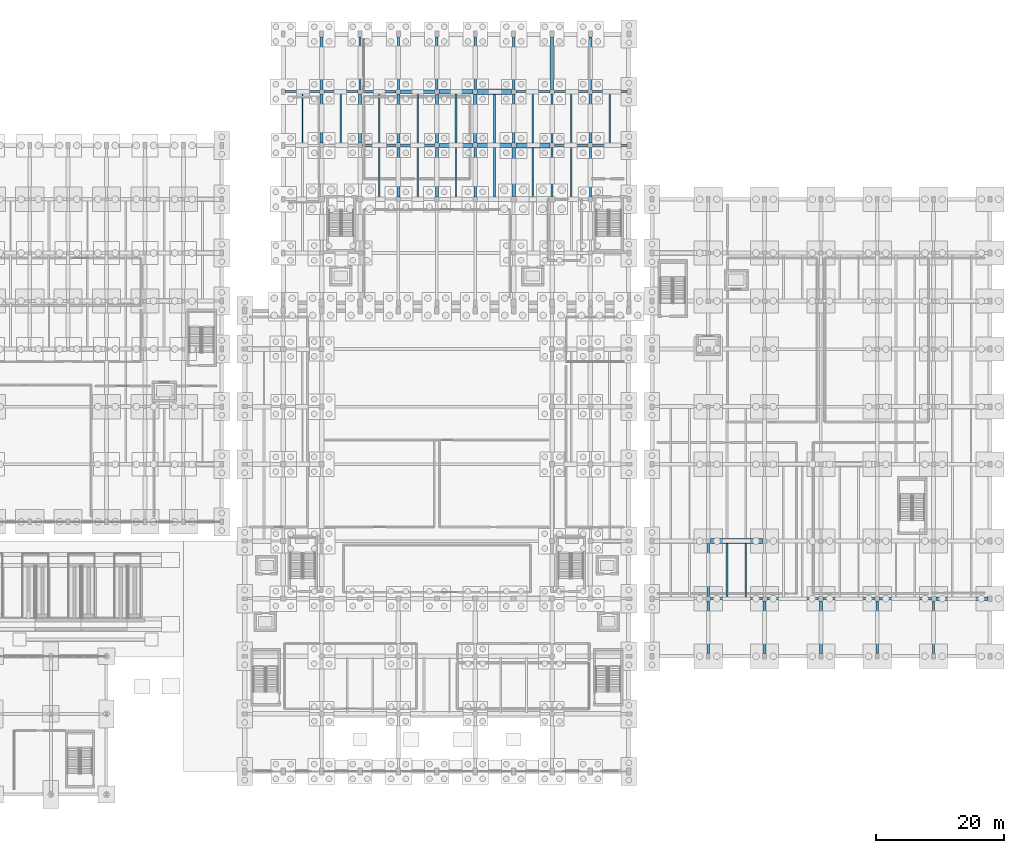
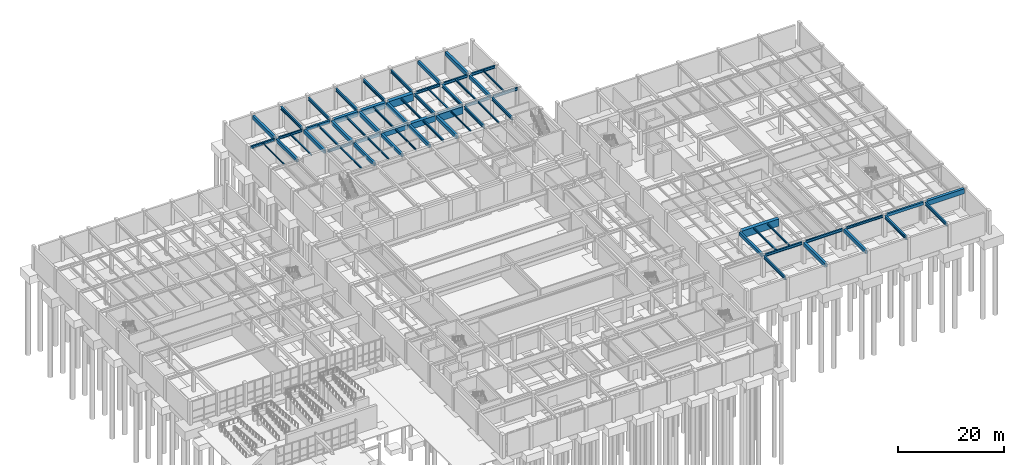
# One storey, part 39 of 69: 67 beams.
"""IFC4 building model written with IfcOpenShell, lengths in metres."""

from ifc_helpers import new_model, si_unit, direction, frame, origin, origin_2d, place, context, subcontext, project, spatial, rectangle, i_section, extrude, material, material_profile, profile_set, type_object, element, save


model = new_model("IFC4")

# Units and contexts
model_context = context("Model", 3, precision=1e-05, world=origin(), true_north=direction((0.0, 1.0)))
body_context = subcontext(model_context, "Body", "Model", "MODEL_VIEW")
ifc_project = project(units=[si_unit("LENGTHUNIT", "METRE"), si_unit("AREAUNIT", "SQUARE_METRE"), si_unit("VOLUMEUNIT", "CUBIC_METRE"), si_unit("PLANEANGLEUNIT", "RADIAN"), si_unit("MASSUNIT", "GRAM", prefix="KILO")], contexts=[model_context])

# Site, building, storey
site_placement = place(None, origin())
site = spatial("IfcSite", under=ifc_project, at=site_placement, CompositionType="ELEMENT")
building_placement = place(site_placement, origin())
building = spatial("IfcBuilding", under=site, at=building_placement, Name="Vaelkrest Opera House", CompositionType="ELEMENT")
storey_placement = place(building_placement, frame((0.0, 0.0, -5.39990234375)))
storey = spatial("IfcBuildingStorey", under=building, at=storey_placement, Name="B1", CompositionType="ELEMENT", Elevation=-5.39990234375)

# Beams
ifc_material_1 = material(Name="Concrete C50/60", Category="concrete")
ifc_material_profile_1 = material_profile(ifc_material_1, rectangle(XDim=0.39990234375, YDim=0.64990234375, at=origin_2d()), Name="RCB400X650")
ifc_profile_set_1 = profile_set([ifc_material_profile_1], Name="Concrete C50/60")
beam_type_1 = type_object("IfcBeamType", Name="B01", PredefinedType="BEAM", material=ifc_profile_set_1)
for number, where, z_axis, x_axis, name in (
    (1, (-5.64990234375, 42.0, 4.7099609375), (1.0, 0.0, 0.0), (0.0, 1.0, 0.0), "Beam BM-V2-B1-0677"),
    (2, (-11.64990234375, 50.39990234375, 4.7099609375), (1.0, 0.0, 0.0), (0.0, 1.0, 0.0), "Beam BM-V2-B1-0685"),
):
    element("IfcBeam", number, at=place(storey_placement, frame(where, z_axis=z_axis, x_axis=x_axis)), inside=storey, type_object=beam_type_1, Name=name, PredefinedType="BEAM", context=body_context, shape_type="SweptSolid", body=[
        extrude(rectangle(XDim=0.39990234375, YDim=0.64990234375, at=origin_2d()), origin(), (0.0, 0.0, 1.0), 5.2998046875),
    ])
beam_1_placement = place(storey_placement, frame((69.14990234375, -28.800048828125, 4.679931640625), z_axis=(1.0, 0.0, 0.0), x_axis=(0.0, 1.0, 0.0)))
element("IfcBeam", 3, at=beam_1_placement, inside=storey, type_object=beam_type_1, Name="Beam BM-V4-B1-1829", PredefinedType="BEAM", context=body_context, shape_type="SweptSolid", body=[
    extrude(rectangle(XDim=0.39990234375, YDim=0.64990234375, at=origin_2d()), origin(), (0.0, 0.0, 1.0), 8.10009765625),
])
ifc_material_profile_2 = material_profile(ifc_material_1, rectangle(XDim=0.449951171875, YDim=0.75, at=origin_2d()), Name="RCB450X750")
ifc_profile_set_2 = profile_set([ifc_material_profile_2], Name="Concrete C50/60")
beam_type_2 = type_object("IfcBeamType", Name="B02", PredefinedType="BEAM", material=ifc_profile_set_2)
for number, where, z_axis, x_axis, name in (
    (4, (-18.0, 42.35009765625, 4.659912109375), (0.0, 1.0, 0.0), (-1.0, 0.0, 0.0), "Beam BM-V2-B1-0695"),
    (5, (-6.0, 33.949951171875, 4.659912109375), (0.0, 1.0, 0.0), (-1.0, 0.0, 0.0), "Beam BM-V2-B1-0703"),
    (6, (0.0, 33.949951171875, 4.659912109375), (0.0, 1.0, 0.0), (-1.0, 0.0, 0.0), "Beam BM-V2-B1-0707"),
    (7, (6.0, 33.949951171875, 4.659912109375), (0.0, 1.0, 0.0), (-1.0, 0.0, 0.0), "Beam BM-V2-B1-0711"),
):
    element("IfcBeam", number, at=place(storey_placement, frame(where, z_axis=z_axis, x_axis=x_axis)), inside=storey, type_object=beam_type_2, Name=name, PredefinedType="BEAM", context=body_context, shape_type="SweptSolid", body=[
        extrude(rectangle(XDim=0.449951171875, YDim=0.75, at=origin_2d()), origin(), (0.0, 0.0, 1.0), 7.699951171875),
    ])
beam_2_placement = place(storey_placement, frame((18.0, 50.75, 4.659912109375), z_axis=(0.0, 1.0, 0.0), x_axis=(-1.0, 0.0, 0.0)))
element("IfcBeam", 8, at=beam_2_placement, inside=storey, type_object=beam_type_2, Name="Beam BM-V2-B1-0723", PredefinedType="BEAM", context=body_context, shape_type="SweptSolid", body=[
    extrude(rectangle(XDim=0.449951171875, YDim=0.75, at=origin_2d()), origin(), (0.0, 0.0, 1.0), 8.199951171875),
])
beam_3_placement = place(storey_placement, frame((24.0, 42.35009765625, 4.659912109375), z_axis=(0.0, 1.0, 0.0), x_axis=(-1.0, 0.0, 0.0)))
element("IfcBeam", 9, at=beam_3_placement, inside=storey, type_object=beam_type_2, Name="Beam BM-V2-B1-0727", PredefinedType="BEAM", context=body_context, shape_type="SweptSolid", body=[
    extrude(rectangle(XDim=0.449951171875, YDim=0.75, at=origin_2d()), origin(), (0.0, 0.0, 1.0), 7.699951171875),
])
beam_4_placement = place(storey_placement, frame((42.39990234375, -28.449951171875, 4.6298828125), z_axis=(0.0, 1.0, 0.0), x_axis=(-1.0, 0.0, 0.0)))
element("IfcBeam", 10, at=beam_4_placement, inside=storey, type_object=beam_type_2, Name="Beam BM-V4-B1-1863", PredefinedType="BEAM", context=body_context, shape_type="SweptSolid", body=[
    extrude(rectangle(XDim=0.449951171875, YDim=0.75, at=origin_2d()), origin(), (0.0, 0.0, 1.0), 8.300048828125),
])
ifc_material_profile_3 = material_profile(ifc_material_1, rectangle(XDim=0.5, YDim=0.85009765625, at=origin_2d()), Name="RCB500X850")
ifc_profile_set_3 = profile_set([ifc_material_profile_3], Name="Concrete C50/60")
beam_type_3 = type_object("IfcBeamType", Name="B03", PredefinedType="BEAM", material=ifc_profile_set_3)
beam_5_placement = place(storey_placement, frame((-18.0, 50.75, 4.60986328125), z_axis=(0.0, 1.0, 0.0), x_axis=(-1.0, 0.0, 0.0)))
element("IfcBeam", 11, at=beam_5_placement, inside=storey, type_object=beam_type_3, Name="Beam BM-V2-B1-0696", PredefinedType="BEAM", context=body_context, shape_type="SweptSolid", body=[
    extrude(rectangle(XDim=0.5, YDim=0.85009765625, at=origin_2d()), origin(), (0.0, 0.0, 1.0), 8.199951171875),
])
for number, where, z_axis, x_axis, name in (
    (12, (-12.0, 42.35009765625, 4.60986328125), (0.0, 1.0, 0.0), (-1.0, 0.0, 0.0), "Beam BM-V2-B1-0700"),
    (13, (-6.0, 42.35009765625, 4.60986328125), (0.0, 1.0, 0.0), (-1.0, 0.0, 0.0), "Beam BM-V2-B1-0704"),
    (14, (0.0, 42.35009765625, 4.60986328125), (0.0, 1.0, 0.0), (-1.0, 0.0, 0.0), "Beam BM-V2-B1-0708"),
    (15, (6.0, 42.35009765625, 4.60986328125), (0.0, 1.0, 0.0), (-1.0, 0.0, 0.0), "Beam BM-V2-B1-0712"),
):
    element("IfcBeam", number, at=place(storey_placement, frame(where, z_axis=z_axis, x_axis=x_axis)), inside=storey, type_object=beam_type_3, Name=name, PredefinedType="BEAM", context=body_context, shape_type="SweptSolid", body=[
        extrude(rectangle(XDim=0.5, YDim=0.85009765625, at=origin_2d()), origin(), (0.0, 0.0, 1.0), 7.699951171875),
    ])
beam_6_placement = place(storey_placement, frame((12.0, 34.050048828125, 4.60986328125), z_axis=(0.0, 1.0, 0.0), x_axis=(-1.0, 0.0, 0.0)))
element("IfcBeam", 16, at=beam_6_placement, inside=storey, type_object=beam_type_3, Name="Beam BM-V2-B1-0716", PredefinedType="BEAM", context=body_context, shape_type="SweptSolid", body=[
    extrude(rectangle(XDim=0.5, YDim=0.85009765625, at=origin_2d()), origin(), (0.0, 0.0, 1.0), 7.599853515625),
])
beam_7_placement = place(storey_placement, frame((24.0, 50.75, 4.60986328125), z_axis=(0.0, 1.0, 0.0), x_axis=(-1.0, 0.0, 0.0)))
element("IfcBeam", 17, at=beam_7_placement, inside=storey, type_object=beam_type_3, Name="Beam BM-V2-B1-0728", PredefinedType="BEAM", context=body_context, shape_type="SweptSolid", body=[
    extrude(rectangle(XDim=0.5, YDim=0.85009765625, at=origin_2d()), origin(), (0.0, 0.0, 1.0), 8.199951171875),
])
for number, where, z_axis, x_axis, name in (
    (18, (51.199951171875, -37.35009765625, 4.579833984375), (0.0, 1.0, 0.0), (-1.0, 0.0, 0.0), "Beam BM-V4-B1-1868"),
    (19, (60.0, -37.35009765625, 4.579833984375), (0.0, 1.0, 0.0), (-1.0, 0.0, 0.0), "Beam BM-V4-B1-1876"),
):
    element("IfcBeam", number, at=place(storey_placement, frame(where, z_axis=z_axis, x_axis=x_axis)), inside=storey, type_object=beam_type_3, Name=name, PredefinedType="BEAM", context=body_context, shape_type="SweptSolid", body=[
        extrude(rectangle(XDim=0.5, YDim=0.85009765625, at=origin_2d()), origin(), (0.0, 0.0, 1.0), 8.2001953125),
    ])
ifc_material_profile_4 = material_profile(ifc_material_1, rectangle(XDim=0.60009765625, YDim=1.10009765625, at=origin_2d()), Name="RCB600X1100")
ifc_profile_set_4 = profile_set([ifc_material_profile_4], Name="Concrete C50/60")
beam_type_4 = type_object("IfcBeamType", Name="B05", PredefinedType="BEAM", material=ifc_profile_set_4)
for number, where, z_axis, x_axis, name in (
    (20, (0.35009765625, 42.0, 4.48486328125), (1.0, 0.0, 0.0), (0.0, 1.0, 0.0), "Beam BM-V2-B1-0678"),
    (21, (-5.64990234375, 50.39990234375, 4.48486328125), (1.0, 0.0, 0.0), (0.0, 1.0, 0.0), "Beam BM-V2-B1-0686"),
):
    element("IfcBeam", number, at=place(storey_placement, frame(where, z_axis=z_axis, x_axis=x_axis)), inside=storey, type_object=beam_type_4, Name=name, PredefinedType="BEAM", context=body_context, shape_type="SweptSolid", body=[
        extrude(rectangle(XDim=0.60009765625, YDim=1.10009765625, at=origin_2d()), origin(), (0.0, 0.0, 1.0), 5.2998046875),
    ])
beam_8_placement = place(storey_placement, frame((77.949951171875, -28.800048828125, 4.454833984375), z_axis=(1.0, 0.0, 0.0), x_axis=(0.0, 1.0, 0.0)))
element("IfcBeam", 22, at=beam_8_placement, inside=storey, type_object=beam_type_4, Name="Beam BM-V4-B1-1830", PredefinedType="BEAM", context=body_context, shape_type="SweptSolid", body=[
    extrude(rectangle(XDim=0.60009765625, YDim=1.10009765625, at=origin_2d()), origin(), (0.0, 0.0, 1.0), 8.150146484375),
])
ifc_material_profile_5 = material_profile(ifc_material_1, rectangle(XDim=0.699951171875, YDim=1.35009765625, at=origin_2d()), Name="RCB700X1350")
ifc_profile_set_5 = profile_set([ifc_material_profile_5], Name="Concrete C50/60")
beam_type_5 = type_object("IfcBeamType", Name="B06", PredefinedType="BEAM", material=ifc_profile_set_5)
for number, where, z_axis, x_axis, name in (
    (23, (6.35009765625, 42.0, 4.35986328125), (1.0, 0.0, 0.0), (0.0, 1.0, 0.0), "Beam BM-V2-B1-0679"),
    (24, (0.35009765625, 50.39990234375, 4.35986328125), (1.0, 0.0, 0.0), (0.0, 1.0, 0.0), "Beam BM-V2-B1-0687"),
):
    element("IfcBeam", number, at=place(storey_placement, frame(where, z_axis=z_axis, x_axis=x_axis)), inside=storey, type_object=beam_type_5, Name=name, PredefinedType="BEAM", context=body_context, shape_type="SweptSolid", body=[
        extrude(rectangle(XDim=0.699951171875, YDim=1.35009765625, at=origin_2d()), origin(), (0.0, 0.0, 1.0), 5.2998046875),
    ])
ifc_material_profile_6 = material_profile(ifc_material_1, rectangle(XDim=0.800048828125, YDim=1.64990234375, at=origin_2d()), Name="RCB800X1650")
ifc_profile_set_6 = profile_set([ifc_material_profile_6], Name="Concrete C50/60")
beam_type_6 = type_object("IfcBeamType", Name="B07", PredefinedType="BEAM", material=ifc_profile_set_6)
for number, where, z_axis, x_axis, name in (
    (25, (12.35009765625, 42.0, 4.2099609375), (1.0, 0.0, 0.0), (0.0, 1.0, 0.0), "Beam BM-V2-B1-0680"),
    (26, (6.35009765625, 50.39990234375, 4.2099609375), (1.0, 0.0, 0.0), (0.0, 1.0, 0.0), "Beam BM-V2-B1-0688"),
):
    element("IfcBeam", number, at=place(storey_placement, frame(where, z_axis=z_axis, x_axis=x_axis)), inside=storey, type_object=beam_type_6, Name=name, PredefinedType="BEAM", context=body_context, shape_type="SweptSolid", body=[
        extrude(rectangle(XDim=0.800048828125, YDim=1.64990234375, at=origin_2d()), origin(), (0.0, 0.0, 1.0), 5.2998046875),
    ])
beam_9_placement = place(storey_placement, frame((42.75, -19.800048828125, 4.179931640625), z_axis=(1.0, 0.0, 0.0), x_axis=(0.0, 1.0, 0.0)))
element("IfcBeam", 27, at=beam_9_placement, inside=storey, type_object=beam_type_6, Name="Beam BM-V4-B1-1832", PredefinedType="BEAM", context=body_context, shape_type="SweptSolid", body=[
    extrude(rectangle(XDim=0.800048828125, YDim=1.64990234375, at=origin_2d()), origin(), (0.0, 0.0, 1.0), 8.10009765625),
])
ifc_material_2 = material(Name="Steel A992 Gr50", Category="steel")
ifc_material_profile_7 = material_profile(ifc_material_2, i_section(OverallWidth=0.323974609375, OverallDepth=0.611083984375, WebThickness=0.0126953125, FlangeThickness=0.01904296875, at=origin_2d()), Name="W24X104")
ifc_profile_set_7 = profile_set([ifc_material_profile_7], Name="Steel A992 Gr50")
beam_type_7 = type_object("IfcBeamType", Name="B08", PredefinedType="BEAM", material=ifc_profile_set_7)
for number, where, z_axis, x_axis, name in (
    (28, (18.35009765625, 42.0, 4.7294921875), (1.0, 0.0, 0.0), (0.0, 1.0, 0.0), "Beam BM-V2-B1-0681"),
    (29, (12.35009765625, 50.39990234375, 4.7294921875), (1.0, 0.0, 0.0), (0.0, 1.0, 0.0), "Beam BM-V2-B1-0689"),
):
    element("IfcBeam", number, at=place(storey_placement, frame(where, z_axis=z_axis, x_axis=x_axis)), inside=storey, type_object=beam_type_7, Name=name, PredefinedType="BEAM", context=body_context, shape_type="SweptSolid", body=[
        extrude(i_section(OverallWidth=0.323974609375, OverallDepth=0.611083984375, WebThickness=0.0126953125, FlangeThickness=0.01904296875, at=origin_2d()), origin(), (0.0, 0.0, 1.0), 5.2998046875),
    ])
ifc_material_profile_8 = material_profile(ifc_material_2, i_section(OverallWidth=0.327880859375, OverallDepth=0.6279296875, WebThickness=0.0166015625, FlangeThickness=0.027587890625, at=origin_2d()), Name="W24X146")
ifc_profile_set_8 = profile_set([ifc_material_profile_8], Name="Steel A992 Gr50")
beam_type_8 = type_object("IfcBeamType", Name="B09", PredefinedType="BEAM", material=ifc_profile_set_8)
beam_10_placement = place(storey_placement, frame((24.35009765625, 42.0, 4.720947265625), z_axis=(1.0, 0.0, 0.0), x_axis=(0.0, 1.0, 0.0)))
element("IfcBeam", 30, at=beam_10_placement, inside=storey, type_object=beam_type_8, Name="Beam BM-V2-B1-0682", PredefinedType="BEAM", context=body_context, shape_type="SweptSolid", body=[
    extrude(i_section(OverallWidth=0.327880859375, OverallDepth=0.6279296875, WebThickness=0.0166015625, FlangeThickness=0.027587890625, at=origin_2d()), origin(), (0.0, 0.0, 1.0), 5.349853515625),
])
beam_11_placement = place(storey_placement, frame((18.35009765625, 50.39990234375, 4.720947265625), z_axis=(1.0, 0.0, 0.0), x_axis=(0.0, 1.0, 0.0)))
element("IfcBeam", 31, at=beam_11_placement, inside=storey, type_object=beam_type_8, Name="Beam BM-V2-B1-0690", PredefinedType="BEAM", context=body_context, shape_type="SweptSolid", body=[
    extrude(i_section(OverallWidth=0.327880859375, OverallDepth=0.6279296875, WebThickness=0.0166015625, FlangeThickness=0.027587890625, at=origin_2d()), origin(), (0.0, 0.0, 1.0), 5.2998046875),
])
beam_12_placement = place(storey_placement, frame((42.75, -28.800048828125, 4.69091796875), z_axis=(1.0, 0.0, 0.0), x_axis=(0.0, 1.0, 0.0)))
element("IfcBeam", 32, at=beam_12_placement, inside=storey, type_object=beam_type_8, Name="Beam BM-V4-B1-1826", PredefinedType="BEAM", context=body_context, shape_type="SweptSolid", body=[
    extrude(i_section(OverallWidth=0.327880859375, OverallDepth=0.6279296875, WebThickness=0.0166015625, FlangeThickness=0.027587890625, at=origin_2d()), origin(), (0.0, 0.0, 1.0), 8.10009765625),
])
ifc_material_profile_9 = material_profile(ifc_material_2, i_section(OverallWidth=0.35498046875, OverallDepth=0.695068359375, WebThickness=0.015380859375, FlangeThickness=0.02490234375, at=origin_2d()), Name="W27X146")
ifc_profile_set_9 = profile_set([ifc_material_profile_9], Name="Steel A992 Gr50")
beam_type_9 = type_object("IfcBeamType", Name="B10", PredefinedType="BEAM", material=ifc_profile_set_9)
for number, where, z_axis, x_axis, name in (
    (33, (-12.0, 50.75, 4.6875), (0.0, 1.0, 0.0), (-1.0, 0.0, 0.0), "Beam BM-V2-B1-0701"),
    (34, (-6.0, 50.75, 4.6875), (0.0, 1.0, 0.0), (-1.0, 0.0, 0.0), "Beam BM-V2-B1-0705"),
    (35, (0.0, 50.75, 4.6875), (0.0, 1.0, 0.0), (-1.0, 0.0, 0.0), "Beam BM-V2-B1-0709"),
    (36, (6.0, 50.75, 4.6875), (0.0, 1.0, 0.0), (-1.0, 0.0, 0.0), "Beam BM-V2-B1-0713"),
):
    element("IfcBeam", number, at=place(storey_placement, frame(where, z_axis=z_axis, x_axis=x_axis)), inside=storey, type_object=beam_type_9, Name=name, PredefinedType="BEAM", context=body_context, shape_type="SweptSolid", body=[
        extrude(i_section(OverallWidth=0.35498046875, OverallDepth=0.695068359375, WebThickness=0.015380859375, FlangeThickness=0.02490234375, at=origin_2d()), origin(), (0.0, 0.0, 1.0), 8.199951171875),
    ])
beam_13_placement = place(storey_placement, frame((12.0, 42.35009765625, 4.6875), z_axis=(0.0, 1.0, 0.0), x_axis=(-1.0, 0.0, 0.0)))
element("IfcBeam", 37, at=beam_13_placement, inside=storey, type_object=beam_type_9, Name="Beam BM-V2-B1-0717", PredefinedType="BEAM", context=body_context, shape_type="SweptSolid", body=[
    extrude(i_section(OverallWidth=0.35498046875, OverallDepth=0.695068359375, WebThickness=0.015380859375, FlangeThickness=0.02490234375, at=origin_2d()), origin(), (0.0, 0.0, 1.0), 7.699951171875),
])
beam_14_placement = place(storey_placement, frame((18.0, 34.050048828125, 4.6875), z_axis=(0.0, 1.0, 0.0), x_axis=(-1.0, 0.0, 0.0)))
element("IfcBeam", 38, at=beam_14_placement, inside=storey, type_object=beam_type_9, Name="Beam BM-V2-B1-0721", PredefinedType="BEAM", context=body_context, shape_type="SweptSolid", body=[
    extrude(i_section(OverallWidth=0.35498046875, OverallDepth=0.695068359375, WebThickness=0.015380859375, FlangeThickness=0.02490234375, at=origin_2d()), origin(), (0.0, 0.0, 1.0), 7.599853515625),
])
ifc_material_profile_10 = material_profile(ifc_material_2, i_section(OverallWidth=0.35791015625, OverallDepth=0.7060546875, WebThickness=0.018310546875, FlangeThickness=0.0302734375, at=origin_2d()), Name="W27X178")
ifc_profile_set_10 = profile_set([ifc_material_profile_10], Name="Steel A992 Gr50")
beam_type_10 = type_object("IfcBeamType", Name="B14", PredefinedType="BEAM", material=ifc_profile_set_10)
beam_15_placement = place(storey_placement, frame((12.0, 50.75, 4.681884765625), z_axis=(0.0, 1.0, 0.0), x_axis=(-1.0, 0.0, 0.0)))
element("IfcBeam", 39, at=beam_15_placement, inside=storey, type_object=beam_type_10, Name="Beam BM-V2-B1-0718", PredefinedType="BEAM", context=body_context, shape_type="SweptSolid", body=[
    extrude(i_section(OverallWidth=0.35791015625, OverallDepth=0.7060546875, WebThickness=0.018310546875, FlangeThickness=0.0302734375, at=origin_2d()), origin(), (0.0, 0.0, 1.0), 8.199951171875),
])
for number, where, z_axis, x_axis, name in (
    (40, (18.0, 42.35009765625, 4.681884765625), (0.0, 1.0, 0.0), (-1.0, 0.0, 0.0), "Beam BM-V2-B1-0722"),
    (41, (24.0, 33.949951171875, 4.681884765625), (0.0, 1.0, 0.0), (-1.0, 0.0, 0.0), "Beam BM-V2-B1-0726"),
):
    element("IfcBeam", number, at=place(storey_placement, frame(where, z_axis=z_axis, x_axis=x_axis)), inside=storey, type_object=beam_type_10, Name=name, PredefinedType="BEAM", context=body_context, shape_type="SweptSolid", body=[
        extrude(i_section(OverallWidth=0.35791015625, OverallDepth=0.7060546875, WebThickness=0.018310546875, FlangeThickness=0.0302734375, at=origin_2d()), origin(), (0.0, 0.0, 1.0), 7.699951171875),
    ])
for number, where, z_axis, x_axis, name in (
    (42, (42.39990234375, -37.35009765625, 4.65185546875), (0.0, 1.0, 0.0), (-1.0, 0.0, 0.0), "Beam BM-V4-B1-1862"),
    (43, (68.800048828125, -37.35009765625, 4.65185546875), (0.0, 1.0, 0.0), (-1.0, 0.0, 0.0), "Beam BM-V4-B1-1882"),
    (44, (77.60009765625, -37.35009765625, 4.65185546875), (0.0, 1.0, 0.0), (-1.0, 0.0, 0.0), "Beam BM-V4-B1-1890"),
):
    element("IfcBeam", number, at=place(storey_placement, frame(where, z_axis=z_axis, x_axis=x_axis)), inside=storey, type_object=beam_type_10, Name=name, PredefinedType="BEAM", context=body_context, shape_type="SweptSolid", body=[
        extrude(i_section(OverallWidth=0.35791015625, OverallDepth=0.7060546875, WebThickness=0.018310546875, FlangeThickness=0.0302734375, at=origin_2d()), origin(), (0.0, 0.0, 1.0), 8.2001953125),
    ])
ifc_material_profile_11 = material_profile(ifc_material_2, i_section(OverallWidth=0.326904296875, OverallDepth=0.6220703125, WebThickness=0.015380859375, FlangeThickness=0.0244140625, at=origin_2d()), Name="W24X131")
ifc_profile_set_11 = profile_set([ifc_material_profile_11], Name="Steel A992 Gr50")
beam_type_11 = type_object("IfcBeamType", Name="B19", PredefinedType="BEAM", material=ifc_profile_set_11)
for number, where, z_axis, x_axis, name in (
    (45, (-23.699951171875, 50.39990234375, 4.723876953125), (1.0, 0.0, 0.0), (0.0, 1.0, 0.0), "Beam BM-V2-B1-0683"),
    (46, (24.35009765625, 50.39990234375, 4.723876953125), (1.0, 0.0, 0.0), (0.0, 1.0, 0.0), "Beam BM-V2-B1-0691"),
):
    element("IfcBeam", number, at=place(storey_placement, frame(where, z_axis=z_axis, x_axis=x_axis)), inside=storey, type_object=beam_type_11, Name=name, PredefinedType="BEAM", context=body_context, shape_type="SweptSolid", body=[
        extrude(i_section(OverallWidth=0.326904296875, OverallDepth=0.6220703125, WebThickness=0.015380859375, FlangeThickness=0.0244140625, at=origin_2d()), origin(), (0.0, 0.0, 1.0), 5.349853515625),
    ])
beam_16_placement = place(storey_placement, frame((51.550048828125, -28.800048828125, 4.69384765625), z_axis=(1.0, 0.0, 0.0), x_axis=(0.0, 1.0, 0.0)))
element("IfcBeam", 47, at=beam_16_placement, inside=storey, type_object=beam_type_11, Name="Beam BM-V4-B1-1827", PredefinedType="BEAM", context=body_context, shape_type="SweptSolid", body=[
    extrude(i_section(OverallWidth=0.326904296875, OverallDepth=0.6220703125, WebThickness=0.015380859375, FlangeThickness=0.0244140625, at=origin_2d()), origin(), (0.0, 0.0, 1.0), 8.099853515625),
])
ifc_material_profile_12 = material_profile(ifc_material_2, i_section(OverallWidth=0.31494140625, OverallDepth=0.551025390625, WebThickness=0.01513671875, FlangeThickness=0.0244140625, at=origin_2d()), Name="W21X122")
ifc_profile_set_12 = profile_set([ifc_material_profile_12], Name="Steel A992 Gr50")
beam_type_12 = type_object("IfcBeamType", Name="B20", PredefinedType="BEAM", material=ifc_profile_set_12)
for number, where, z_axis, x_axis, name in (
    (48, (-11.64990234375, 42.0, 4.759521484375), (1.0, 0.0, 0.0), (0.0, 1.0, 0.0), "Beam BM-V2-B1-0676"),
    (49, (-17.64990234375, 50.39990234375, 4.759521484375), (1.0, 0.0, 0.0), (0.0, 1.0, 0.0), "Beam BM-V2-B1-0684"),
):
    element("IfcBeam", number, at=place(storey_placement, frame(where, z_axis=z_axis, x_axis=x_axis)), inside=storey, type_object=beam_type_12, Name=name, PredefinedType="BEAM", context=body_context, shape_type="SweptSolid", body=[
        extrude(i_section(OverallWidth=0.31494140625, OverallDepth=0.551025390625, WebThickness=0.01513671875, FlangeThickness=0.0244140625, at=origin_2d()), origin(), (0.0, 0.0, 1.0), 5.2998046875),
    ])
beam_17_placement = place(storey_placement, frame((60.35009765625, -28.800048828125, 4.7294921875), z_axis=(1.0, 0.0, 0.0), x_axis=(0.0, 1.0, 0.0)))
element("IfcBeam", 50, at=beam_17_placement, inside=storey, type_object=beam_type_12, Name="Beam BM-V4-B1-1828", PredefinedType="BEAM", context=body_context, shape_type="SweptSolid", body=[
    extrude(i_section(OverallWidth=0.31494140625, OverallDepth=0.551025390625, WebThickness=0.01513671875, FlangeThickness=0.0244140625, at=origin_2d()), origin(), (0.0, 0.0, 1.0), 8.099853515625),
])
ifc_material_profile_13 = material_profile(ifc_material_2, i_section(OverallWidth=0.2041015625, OverallDepth=0.257080078125, WebThickness=0.0087890625, FlangeThickness=0.015625, at=origin_2d()), Name="W10X45")
ifc_profile_set_13 = profile_set([ifc_material_profile_13], Name="Steel A992 Gr50")
beam_type_13 = type_object("IfcBeamType", Name="J01", PredefinedType="JOIST", material=ifc_profile_set_13)
beam_18_placement = place(storey_placement, frame((-21.0, 42.1640625, 4.906494140625), z_axis=(0.0, 1.0, 0.0), x_axis=(-1.0, 0.0, 0.0)))
element("IfcBeam", 51, at=beam_18_placement, inside=storey, type_object=beam_type_13, Name="Floor joist JST-V2-B1-0731", PredefinedType="JOIST", context=body_context, shape_type="SweptSolid", body=[
    extrude(i_section(OverallWidth=0.2041015625, OverallDepth=0.257080078125, WebThickness=0.0087890625, FlangeThickness=0.015625, at=origin_2d()), origin(), (0.0, 0.0, 1.0), 8.072509765625),
])
ifc_material_profile_14 = material_profile(ifc_material_2, i_section(OverallWidth=0.202880859375, OverallDepth=0.302978515625, WebThickness=0.007568359375, FlangeThickness=0.01318359375, at=origin_2d()), Name="W12X40")
ifc_profile_set_14 = profile_set([ifc_material_profile_14], Name="Steel A992 Gr50")
beam_type_14 = type_object("IfcBeamType", Name="J02", PredefinedType="JOIST", material=ifc_profile_set_14)
beam_19_placement = place(storey_placement, frame((-15.0, 42.16357421875, 4.88330078125), z_axis=(0.0, 1.0, 0.0), x_axis=(-1.0, 0.0, 0.0)))
element("IfcBeam", 52, at=beam_19_placement, inside=storey, type_object=beam_type_14, Name="Floor joist JST-V2-B1-0732", PredefinedType="JOIST", context=body_context, shape_type="SweptSolid", body=[
    extrude(i_section(OverallWidth=0.202880859375, OverallDepth=0.302978515625, WebThickness=0.007568359375, FlangeThickness=0.01318359375, at=origin_2d()), origin(), (0.0, 0.0, 1.0), 8.078857421875),
])
beam_20_placement = place(storey_placement, frame((15.0, 34.0, 4.88330078125), z_axis=(0.0, 1.0, 0.0), x_axis=(-1.0, 0.0, 0.0)))
element("IfcBeam", 53, at=beam_20_placement, inside=storey, type_object=beam_type_14, Name="Floor joist JST-V2-B1-0742", PredefinedType="JOIST", context=body_context, shape_type="SweptSolid", body=[
    extrude(i_section(OverallWidth=0.202880859375, OverallDepth=0.302978515625, WebThickness=0.007568359375, FlangeThickness=0.01318359375, at=origin_2d()), origin(), (0.0, 0.0, 1.0), 7.60009765625),
])
ifc_material_profile_15 = material_profile(ifc_material_2, i_section(OverallWidth=0.25390625, OverallDepth=0.305908203125, WebThickness=0.0087890625, FlangeThickness=0.0146484375, at=origin_2d()), Name="W12X53")
ifc_profile_set_15 = profile_set([ifc_material_profile_15], Name="Steel A992 Gr50")
beam_type_15 = type_object("IfcBeamType", Name="J03", PredefinedType="JOIST", material=ifc_profile_set_15)
beam_21_placement = place(storey_placement, frame((-9.0, 33.757568359375, 4.8818359375), z_axis=(0.0, 1.0, 0.0), x_axis=(-1.0, 0.0, 0.0)))
element("IfcBeam", 54, at=beam_21_placement, inside=storey, type_object=beam_type_15, Name="Floor joist JST-V2-B1-0733", PredefinedType="JOIST", context=body_context, shape_type="SweptSolid", body=[
    extrude(i_section(OverallWidth=0.25390625, OverallDepth=0.305908203125, WebThickness=0.0087890625, FlangeThickness=0.0146484375, at=origin_2d()), origin(), (0.0, 0.0, 1.0), 8.0849609375),
])
beam_22_placement = place(storey_placement, frame((15.0, 42.39990234375, 4.8818359375), z_axis=(0.0, 1.0, 0.0), x_axis=(-1.0, 0.0, 0.0)))
element("IfcBeam", 55, at=beam_22_placement, inside=storey, type_object=beam_type_15, Name="Floor joist JST-V2-B1-0743", PredefinedType="JOIST", context=body_context, shape_type="SweptSolid", body=[
    extrude(i_section(OverallWidth=0.25390625, OverallDepth=0.305908203125, WebThickness=0.0087890625, FlangeThickness=0.0146484375, at=origin_2d()), origin(), (0.0, 0.0, 1.0), 7.838134765625),
])
ifc_material_profile_16 = material_profile(ifc_material_2, i_section(OverallWidth=0.304931640625, OverallDepth=0.30810546875, WebThickness=0.010009765625, FlangeThickness=0.015380859375, at=origin_2d()), Name="W12X65")
ifc_profile_set_16 = profile_set([ifc_material_profile_16], Name="Steel A992 Gr50")
beam_type_16 = type_object("IfcBeamType", Name="J04", PredefinedType="JOIST", material=ifc_profile_set_16)
beam_23_placement = place(storey_placement, frame((-9.0, 42.157470703125, 4.880859375), z_axis=(0.0, 1.0, 0.0), x_axis=(-1.0, 0.0, 0.0)))
element("IfcBeam", 56, at=beam_23_placement, inside=storey, type_object=beam_type_16, Name="Floor joist JST-V2-B1-0734", PredefinedType="JOIST", context=body_context, shape_type="SweptSolid", body=[
    extrude(i_section(OverallWidth=0.304931640625, OverallDepth=0.30810546875, WebThickness=0.010009765625, FlangeThickness=0.015380859375, at=origin_2d()), origin(), (0.0, 0.0, 1.0), 8.04248046875),
])
beam_24_placement = place(storey_placement, frame((45.3330078125, -28.635986328125, 4.850830078125), z_axis=(0.0, 1.0, 0.0), x_axis=(-1.0, 0.0, 0.0)))
element("IfcBeam", 57, at=beam_24_placement, inside=storey, type_object=beam_type_16, Name="Floor joist JST-V4-B1-1904", PredefinedType="JOIST", context=body_context, shape_type="SweptSolid", body=[
    extrude(i_section(OverallWidth=0.304931640625, OverallDepth=0.30810546875, WebThickness=0.010009765625, FlangeThickness=0.015380859375, at=origin_2d()), origin(), (0.0, 0.0, 1.0), 8.43603515625),
])
ifc_material_profile_17 = material_profile(ifc_material_2, i_section(OverallWidth=0.2548828125, OverallDepth=0.35693359375, WebThickness=0.010498046875, FlangeThickness=0.018310546875, at=origin_2d()), Name="W14X68")
ifc_profile_set_17 = profile_set([ifc_material_profile_17], Name="Steel A992 Gr50")
beam_type_17 = type_object("IfcBeamType", Name="J05", PredefinedType="JOIST", material=ifc_profile_set_17)
beam_25_placement = place(storey_placement, frame((-3.0, 33.800048828125, 4.8564453125), z_axis=(0.0, 1.0, 0.0), x_axis=(-1.0, 0.0, 0.0)))
element("IfcBeam", 58, at=beam_25_placement, inside=storey, type_object=beam_type_17, Name="Floor joist JST-V2-B1-0735", PredefinedType="JOIST", context=body_context, shape_type="SweptSolid", body=[
    extrude(i_section(OverallWidth=0.2548828125, OverallDepth=0.35693359375, WebThickness=0.010498046875, FlangeThickness=0.018310546875, at=origin_2d()), origin(), (0.0, 0.0, 1.0), 8.0),
])
beam_26_placement = place(storey_placement, frame((21.0, 33.761962890625, 4.8564453125), z_axis=(0.0, 1.0, 0.0), x_axis=(-1.0, 0.0, 0.0)))
element("IfcBeam", 59, at=beam_26_placement, inside=storey, type_object=beam_type_17, Name="Floor joist JST-V2-B1-0745", PredefinedType="JOIST", context=body_context, shape_type="SweptSolid", body=[
    extrude(i_section(OverallWidth=0.2548828125, OverallDepth=0.35693359375, WebThickness=0.010498046875, FlangeThickness=0.018310546875, at=origin_2d()), origin(), (0.0, 0.0, 1.0), 8.075927734375),
])
beam_27_placement = place(storey_placement, frame((48.26708984375, -28.635986328125, 4.826416015625), z_axis=(0.0, 1.0, 0.0), x_axis=(-1.0, 0.0, 0.0)))
element("IfcBeam", 60, at=beam_27_placement, inside=storey, type_object=beam_type_17, Name="Floor joist JST-V4-B1-1905", PredefinedType="JOIST", context=body_context, shape_type="SweptSolid", body=[
    extrude(i_section(OverallWidth=0.2548828125, OverallDepth=0.35693359375, WebThickness=0.010498046875, FlangeThickness=0.018310546875, at=origin_2d()), origin(), (0.0, 0.0, 1.0), 8.43603515625),
])
ifc_material_profile_18 = material_profile(ifc_material_2, i_section(OverallWidth=0.257080078125, OverallDepth=0.363037109375, WebThickness=0.012939453125, FlangeThickness=0.021728515625, at=origin_2d()), Name="W14X82")
ifc_profile_set_18 = profile_set([ifc_material_profile_18], Name="Steel A992 Gr50")
beam_type_18 = type_object("IfcBeamType", Name="J06", PredefinedType="JOIST", material=ifc_profile_set_18)
beam_28_placement = place(storey_placement, frame((-3.0, 42.199951171875, 4.853515625), z_axis=(0.0, 1.0, 0.0), x_axis=(-1.0, 0.0, 0.0)))
element("IfcBeam", 61, at=beam_28_placement, inside=storey, type_object=beam_type_18, Name="Floor joist JST-V2-B1-0736", PredefinedType="JOIST", context=body_context, shape_type="SweptSolid", body=[
    extrude(i_section(OverallWidth=0.257080078125, OverallDepth=0.363037109375, WebThickness=0.012939453125, FlangeThickness=0.021728515625, at=origin_2d()), origin(), (0.0, 0.0, 1.0), 7.900146484375),
])
beam_29_placement = place(storey_placement, frame((21.0, 42.162109375, 4.853515625), z_axis=(0.0, 1.0, 0.0), x_axis=(-1.0, 0.0, 0.0)))
element("IfcBeam", 62, at=beam_29_placement, inside=storey, type_object=beam_type_18, Name="Floor joist JST-V2-B1-0746", PredefinedType="JOIST", context=body_context, shape_type="SweptSolid", body=[
    extrude(i_section(OverallWidth=0.257080078125, OverallDepth=0.363037109375, WebThickness=0.012939453125, FlangeThickness=0.021728515625, at=origin_2d()), origin(), (0.0, 0.0, 1.0), 8.073974609375),
])
ifc_material_profile_19 = material_profile(ifc_material_2, i_section(OverallWidth=0.180908203125, OverallDepth=0.4169921875, WebThickness=0.010986328125, FlangeThickness=0.018310546875, at=origin_2d()), Name="W16X57")
ifc_profile_set_19 = profile_set([ifc_material_profile_19], Name="Steel A992 Gr50")
beam_type_19 = type_object("IfcBeamType", Name="J07", PredefinedType="JOIST", material=ifc_profile_set_19)
beam_30_placement = place(storey_placement, frame((3.0, 33.89990234375, 4.826416015625), z_axis=(0.0, 1.0, 0.0), x_axis=(-1.0, 0.0, 0.0)))
element("IfcBeam", 63, at=beam_30_placement, inside=storey, type_object=beam_type_19, Name="Floor joist JST-V2-B1-0737", PredefinedType="JOIST", context=body_context, shape_type="SweptSolid", body=[
    extrude(i_section(OverallWidth=0.180908203125, OverallDepth=0.4169921875, WebThickness=0.010986328125, FlangeThickness=0.018310546875, at=origin_2d()), origin(), (0.0, 0.0, 1.0), 7.800048828125),
])
beam_31_placement = place(storey_placement, frame((27.0, 42.1640625, 4.826416015625), z_axis=(0.0, 1.0, 0.0), x_axis=(-1.0, 0.0, 0.0)))
element("IfcBeam", 64, at=beam_31_placement, inside=storey, type_object=beam_type_19, Name="Floor joist JST-V2-B1-0747", PredefinedType="JOIST", context=body_context, shape_type="SweptSolid", body=[
    extrude(i_section(OverallWidth=0.180908203125, OverallDepth=0.4169921875, WebThickness=0.010986328125, FlangeThickness=0.018310546875, at=origin_2d()), origin(), (0.0, 0.0, 1.0), 8.072509765625),
])
ifc_material_profile_20 = material_profile(ifc_material_2, i_section(OverallWidth=0.261962890625, OverallDepth=0.4189453125, WebThickness=0.01171875, FlangeThickness=0.019287109375, at=origin_2d()), Name="W16X77")
ifc_profile_set_20 = profile_set([ifc_material_profile_20], Name="Steel A992 Gr50")
beam_type_20 = type_object("IfcBeamType", Name="J08", PredefinedType="JOIST", material=ifc_profile_set_20)
beam_32_placement = place(storey_placement, frame((3.0, 42.300048828125, 4.825439453125), z_axis=(0.0, 1.0, 0.0), x_axis=(-1.0, 0.0, 0.0)))
element("IfcBeam", 65, at=beam_32_placement, inside=storey, type_object=beam_type_20, Name="Floor joist JST-V2-B1-0738", PredefinedType="JOIST", context=body_context, shape_type="SweptSolid", body=[
    extrude(i_section(OverallWidth=0.261962890625, OverallDepth=0.4189453125, WebThickness=0.01171875, FlangeThickness=0.019287109375, at=origin_2d()), origin(), (0.0, 0.0, 1.0), 7.75),
])
ifc_material_profile_21 = material_profile(ifc_material_2, i_section(OverallWidth=0.280029296875, OverallDepth=0.462890625, WebThickness=0.0107421875, FlangeThickness=0.017333984375, at=origin_2d()), Name="W18X76")
ifc_profile_set_21 = profile_set([ifc_material_profile_21], Name="Steel A992 Gr50")
beam_type_21 = type_object("IfcBeamType", Name="J09", PredefinedType="JOIST", material=ifc_profile_set_21)
beam_33_placement = place(storey_placement, frame((9.0, 33.949951171875, 4.803466796875), z_axis=(0.0, 1.0, 0.0), x_axis=(-1.0, 0.0, 0.0)))
element("IfcBeam", 66, at=beam_33_placement, inside=storey, type_object=beam_type_21, Name="Floor joist JST-V2-B1-0739", PredefinedType="JOIST", context=body_context, shape_type="SweptSolid", body=[
    extrude(i_section(OverallWidth=0.280029296875, OverallDepth=0.462890625, WebThickness=0.0107421875, FlangeThickness=0.017333984375, at=origin_2d()), origin(), (0.0, 0.0, 1.0), 7.699951171875),
])
ifc_material_profile_22 = material_profile(ifc_material_2, i_section(OverallWidth=0.282958984375, OverallDepth=0.471923828125, WebThickness=0.013671875, FlangeThickness=0.022216796875, at=origin_2d()), Name="W18X97")
ifc_profile_set_22 = profile_set([ifc_material_profile_22], Name="Steel A992 Gr50")
beam_type_22 = type_object("IfcBeamType", Name="J10", PredefinedType="JOIST", material=ifc_profile_set_22)
beam_34_placement = place(storey_placement, frame((9.0, 42.35009765625, 4.798828125), z_axis=(0.0, 1.0, 0.0), x_axis=(-1.0, 0.0, 0.0)))
element("IfcBeam", 67, at=beam_34_placement, inside=storey, type_object=beam_type_22, Name="Floor joist JST-V2-B1-0740", PredefinedType="JOIST", context=body_context, shape_type="SweptSolid", body=[
    extrude(i_section(OverallWidth=0.282958984375, OverallDepth=0.471923828125, WebThickness=0.013671875, FlangeThickness=0.022216796875, at=origin_2d()), origin(), (0.0, 0.0, 1.0), 7.64990234375),
])

save(model, "model.ifc")
